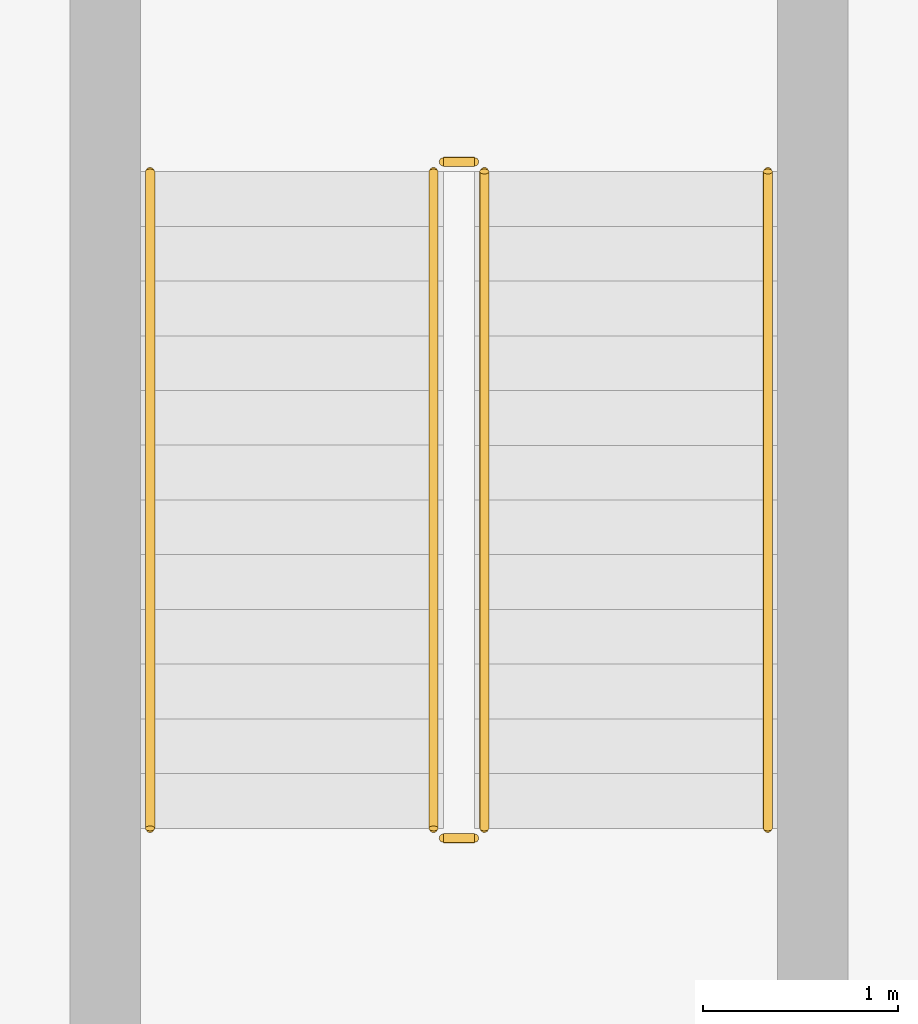
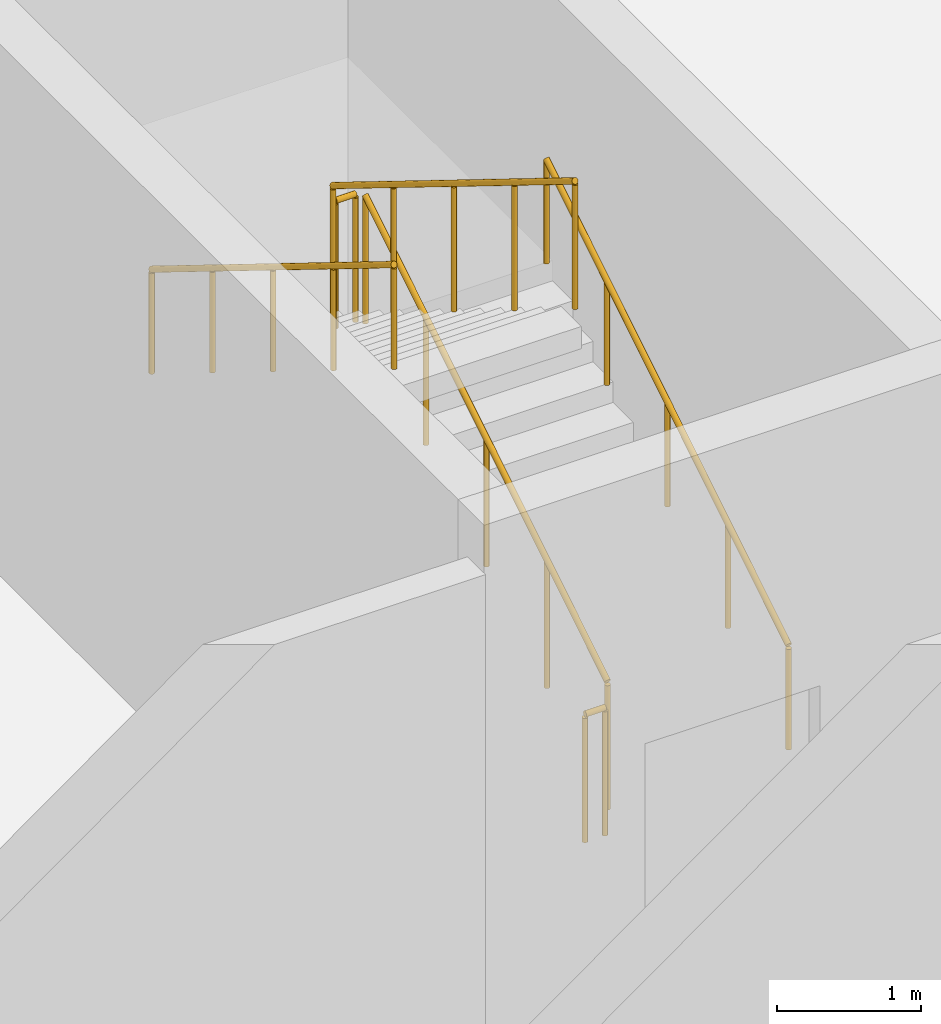
# One storey, part 7 of 8: 6 railings.
"""IFC4 building model written with IfcOpenShell, lengths in metres."""

import ifcopenshell
import ifcopenshell.guid

model = None  # the IFC model being written
_history = None  # IfcOwnerHistory: only IFC2X3 demands one
_inside = {}  # id of a spatial element -> (the spatial element, [elements in it])
_under = {}  # id of a project, library or spatial element -> (it, [spatial elements below it])
_declared = {}  # id of a project -> (the project, [libraries it declares])
_typed = {}  # id of a type object -> (the type object, [elements of that type])
_made_of = {}  # id of a material, layer set ... -> (it, [elements and type objects made of it])


def new_model(schema):
    """Start an empty IFC model of exactly this schema.

    Asked for "IFC4X3", IfcOpenShell would pick the latest addendum, in which some entities
    have other attributes; the version numbers below select the first issue.
    IFC2X3 requires an IfcOwnerHistory on every rooted entity: one is made here for all.
    """
    global model, _history
    if schema == "IFC4X3":
        model = ifcopenshell.file(schema_version=(4, 3, 0, 0))
    else:
        model = ifcopenshell.file(schema=schema)
    _inside.clear()
    _under.clear()
    _declared.clear()
    _typed.clear()
    _made_of.clear()
    _history = None
    if model.schema == "IFC2X3":
        org = make("IfcOrganization", Name="unknown")
        user = make(
            "IfcPersonAndOrganization",
            ThePerson=make("IfcPerson", FamilyName="unknown"),
            TheOrganization=org,
        )
        app = make(
            "IfcApplication",
            ApplicationDeveloper=org,
            Version="unknown",
            ApplicationFullName="unknown",
            ApplicationIdentifier="unknown",
        )
        _history = make(
            "IfcOwnerHistory",
            OwningUser=user,
            OwningApplication=app,
            ChangeAction="ADDED",
            CreationDate=0,
        )
    return model


def make(cls, **values):
    """One entity of the class cls with the attributes given. An attribute that is None is left unset."""
    return model.create_entity(
        cls, **{name: value for name, value in values.items() if value is not None}
    )


def rooted(cls, **values):
    """An entity with a GlobalId (a new one), such as an element, a storey or a relation."""
    return make(cls, GlobalId=ifcopenshell.guid.new(), OwnerHistory=_history, **values)


def si_unit(unit_type, name, prefix=None):
    """IfcSIUnit, for example si_unit("LENGTHUNIT", "METRE", prefix="MILLI")."""
    return make("IfcSIUnit", UnitType=unit_type, Prefix=prefix, Name=name)


def assignment(units):
    """IfcUnitAssignment: the units of a project."""
    return None if units is None else make("IfcUnitAssignment", Units=units)


def point(xyz):
    """IfcCartesianPoint."""
    return None if xyz is None else make("IfcCartesianPoint", Coordinates=xyz)


def direction(xyz):
    """IfcDirection."""
    return None if xyz is None else make("IfcDirection", DirectionRatios=xyz)


def frame(location, z_axis=None, x_axis=None):
    """IfcAxis2Placement3D, a coordinate frame: its origin and axes. An axis left out is left unset."""
    return make(
        "IfcAxis2Placement3D",
        Location=point(location),
        Axis=direction(z_axis),
        RefDirection=direction(x_axis),
    )


def frame_2d(location, x_axis=None):
    """IfcAxis2Placement2D, a coordinate frame in the plane: its origin and x axis."""
    return make(
        "IfcAxis2Placement2D", Location=point(location), RefDirection=direction(x_axis)
    )


def origin():
    """The frame at (0, 0, 0) with its axes left unset."""
    return frame((0.0, 0.0, 0.0))


def origin_2d():
    """The frame at (0, 0) in the plane with its x axis left unset."""
    return frame_2d((0.0, 0.0))


def place(relative_to, where):
    """IfcLocalPlacement: puts the frame where relative to a parent placement (None: the world)."""
    return make(
        "IfcLocalPlacement", PlacementRelTo=relative_to, RelativePlacement=where
    )


def context(
    kind, dimensions, precision=None, world=None, true_north=None, identifier=None
):
    """IfcGeometricRepresentationContext, for example the 3D "Model" context."""
    return make(
        "IfcGeometricRepresentationContext",
        ContextIdentifier=identifier,
        ContextType=kind,
        CoordinateSpaceDimension=dimensions,
        Precision=precision,
        WorldCoordinateSystem=world,
        TrueNorth=true_north,
    )


def subcontext(parent, identifier, kind, view, scale=None):
    """IfcGeometricRepresentationSubContext, for example "Body" below "Model"."""
    return make(
        "IfcGeometricRepresentationSubContext",
        ContextIdentifier=identifier,
        ContextType=kind,
        ParentContext=parent,
        TargetScale=scale,
        TargetView=view,
    )


def project(units=None, contexts=None):
    """IfcProject with its units and contexts."""
    return rooted(
        "IfcProject",
        Name="project",
        RepresentationContexts=contexts,
        UnitsInContext=assignment(units),
    )


def spatial(cls, under=None, at=None, **own):
    """A site, building, storey or space (cls), placed at a placement, below another one or the project."""
    s = rooted(cls, ObjectPlacement=at, **own)
    if under is not None:
        _under.setdefault(under.id(), (under, []))[1].append(s)
    return s


def profile(cls, at=None, kind="AREA", **sizes):
    """A parametric profile (cls). Its sizes go by their IFC names, for example OverallWidth=200.0."""
    return make(cls, ProfileType=kind, Position=at, **sizes)


def circle(**sizes):
    """IfcCircleProfileDef."""
    return profile("IfcCircleProfileDef", **sizes)


def extrude(swept, where, along, depth):
    """IfcExtrudedAreaSolid: the profile swept, set in the frame where, extruded along a direction by depth."""
    return make(
        "IfcExtrudedAreaSolid",
        SweptArea=swept,
        Position=where,
        ExtrudedDirection=direction(along),
        Depth=depth,
    )


def shape(context_of_items, identifier, shape_type, items):
    """IfcShapeRepresentation: the items that make up one representation, for example the "Body"."""
    return make(
        "IfcShapeRepresentation",
        ContextOfItems=context_of_items,
        RepresentationIdentifier=identifier,
        RepresentationType=shape_type,
        Items=items,
    )


def source(mapping_origin, context_of_items, identifier, shape_type, items):
    """IfcRepresentationMap: a shape defined once, which mapped items show again and again."""
    return make(
        "IfcRepresentationMap",
        MappingOrigin=mapping_origin,
        MappedRepresentation=shape(context_of_items, identifier, shape_type, items),
    )


def transform(
    local_origin,
    x_axis=None,
    y_axis=None,
    z_axis=None,
    scale=None,
    scale2=None,
    scale3=None,
    uniform=True,
):
    """IfcCartesianTransformationOperator3D, or its non-uniform kind. x_axis, y_axis, z_axis: its Axis1, 2, 3."""
    if uniform:
        return make(
            "IfcCartesianTransformationOperator3D",
            Axis1=direction(x_axis),
            Axis2=direction(y_axis),
            LocalOrigin=point(local_origin),
            Scale=scale,
            Axis3=direction(z_axis),
        )
    return make(
        "IfcCartesianTransformationOperator3DnonUniform",
        Axis1=direction(x_axis),
        Axis2=direction(y_axis),
        LocalOrigin=point(local_origin),
        Scale=scale,
        Axis3=direction(z_axis),
        Scale2=scale2,
        Scale3=scale3,
    )


def mapped(mapping_source, mapping_target):
    """IfcMappedItem: shows the shape of a source again, moved by a transform."""
    return make(
        "IfcMappedItem", MappingSource=mapping_source, MappingTarget=mapping_target
    )


def material(Name=None, Category=None):
    """IfcMaterial."""
    return make("IfcMaterial", Name=Name, Category=Category)


def made_of(thing, what):
    """Note that an element or type object is made of a material, layer set ...; save() writes the relation."""
    if what is not None:
        _made_of.setdefault(what.id(), (what, []))[1].append(thing)
    return thing


def type_object(cls, material=None, **own):
    """A type object (cls), such as IfcWallType, which elements share."""
    return made_of(rooted(cls, **own), material)


def element(
    cls,
    number,
    at=None,
    inside=None,
    cuts=None,
    type_object=None,
    material=None,
    context=None,
    identifier="Body",
    shape_type=None,
    held_by="IfcProductDefinitionShape",
    body=None,
    shapes=None,
    **own,
):
    """One element of the class cls, such as IfcWall. Its Tag is "e" and its number.

    at: its placement. inside: the storey or other place that contains it. cuts: it is an
    opening in that element (IfcRelVoidsElement). A single representation is given by context,
    identifier, shape_type and body (its items); several are given by shapes. held_by: the class
    of the entity that holds the representations. save() writes the other relations.
    """
    e = rooted(cls, Tag="e%d" % number, ObjectPlacement=at, **own)
    if body is not None:
        shapes = [shape(context, identifier, shape_type, body)]
    if shapes is not None:
        e.Representation = make(held_by, Representations=shapes)
    if inside is not None:
        _inside.setdefault(inside.id(), (inside, []))[1].append(e)
    if cuts is not None:
        rooted(
            "IfcRelVoidsElement", RelatingBuildingElement=cuts, RelatedOpeningElement=e
        )
    if type_object is not None:
        _typed.setdefault(type_object.id(), (type_object, []))[1].append(e)
    return made_of(e, material)


def aggregate(whole, parts):
    """IfcRelAggregates: a whole, such as a stair, and the parts it consists of."""
    return rooted("IfcRelAggregates", RelatingObject=whole, RelatedObjects=parts)


def save(model, path):
    """Write the relations noted so far, then the file.

    IfcRelAggregates (storeys below a building ...), IfcRelContainedInSpatialStructure (elements
    in a storey), IfcRelDefinesByType, IfcRelAssociatesMaterial and IfcRelDeclares: one each for
    every whole, place, type object, material and project.
    """
    for whole, parts in _under.values():
        aggregate(whole, parts)
    for where, things in _inside.values():
        rooted(
            "IfcRelContainedInSpatialStructure",
            RelatedElements=things,
            RelatingStructure=where,
        )
    for kind, things in _typed.values():
        rooted("IfcRelDefinesByType", RelatedObjects=things, RelatingType=kind)
    for what, things in _made_of.values():
        rooted("IfcRelAssociatesMaterial", RelatedObjects=things, RelatingMaterial=what)
    for by, libraries in _declared.values():
        rooted("IfcRelDeclares", RelatingContext=by, RelatedDefinitions=libraries)
    model.write(path)


model = new_model("IFC4")

# Units and contexts
model_context = context("Model", 3, precision=1e-05, world=origin(), true_north=direction((0.0, 1.0)))
body_context = subcontext(model_context, "Body", "Model", "MODEL_VIEW")
ifc_project = project(units=[si_unit("LENGTHUNIT", "METRE"), si_unit("AREAUNIT", "SQUARE_METRE"), si_unit("VOLUMEUNIT", "CUBIC_METRE"), si_unit("PLANEANGLEUNIT", "RADIAN"), si_unit("MASSUNIT", "GRAM", prefix="KILO"), si_unit("THERMODYNAMICTEMPERATUREUNIT", "KELVIN")], contexts=[model_context])

# Site, building, storey
site_placement = place(None, origin())
site = spatial("IfcSite", under=ifc_project, at=site_placement, CompositionType="ELEMENT")
building_placement = place(site_placement, origin())
building = spatial("IfcBuilding", under=site, at=building_placement, Name="Kosmvard Interchange Tower", CompositionType="ELEMENT")
storey_placement = place(building_placement, frame((0.0, 0.0, -9.0)))
storey = spatial("IfcBuildingStorey", under=building, at=storey_placement, Name="B02", CompositionType="ELEMENT", Elevation=-9.0)

# Railings
ifc_material = material(Name="Steel S355", Category="steel")
railing_type_1 = type_object("IfcRailingType", Name="Stair & Terrace Safety Guardrail 1100 Steel", PredefinedType="GUARDRAIL", material=ifc_material)
shared_shape_1 = source(origin(), body_context, "Body", "SweptSolid", [
    extrude(circle(Radius=0.02392578125, at=origin_2d()), frame((0.0, 0.0, 1.076171875), z_axis=(0.0, 0.850623216509, 0.525775754039), x_axis=(-1.0, 0.0, 0.0)), (0.0, 0.0, 1.0), 3.9501953125),
    extrude(circle(Radius=0.02099609375, at=origin_2d()), origin(), (0.0, 0.0, 1.0), 1.052001953125),
    extrude(circle(Radius=0.02099609375, at=origin_2d()), frame((0.0, 0.840087890625, 0.519287109375)), (0.0, 0.0, 1.0), 1.052001953125),
    extrude(circle(Radius=0.02099609375, at=origin_2d()), frame((0.0, 1.68017578125, 1.03857421875)), (0.0, 0.0, 1.0), 1.052001953125),
    extrude(circle(Radius=0.02099609375, at=origin_2d()), frame((0.0, 2.52001953125, 1.5576171875)), (0.0, 0.0, 1.0), 1.052001953125),
    extrude(circle(Radius=0.02099609375, at=origin_2d()), frame((0.0, 3.360107421875, 2.076904296875)), (0.0, 0.0, 1.0), 1.052001953125),
])
railing_1_placement = place(storey_placement, frame((21.080078125, -3.0, 0.173095703125)))
element("IfcRailing", 1, at=railing_1_placement, inside=storey, type_object=railing_type_1, Name="B02 ST-4 stair guard 1", PredefinedType="GUARDRAIL", context=body_context, shape_type="MappedRepresentation", body=[
    mapped(shared_shape_1, transform((0.0, 0.0, 0.0), scale=1.0)),
])
shared_shape_2 = source(origin(), body_context, "Body", "SweptSolid", [
    extrude(circle(Radius=0.02392578125, at=origin_2d()), frame((0.0, 0.0, 1.076171875), z_axis=(-1.0, 0.0, 0.0), x_axis=(0.0, -1.0, 0.0)), (0.0, 0.0, 1.0), 0.159912109375),
    extrude(circle(Radius=0.02099609375, at=origin_2d()), origin(), (0.0, 0.0, 1.0), 1.052001953125),
    extrude(circle(Radius=0.02099609375, at=origin_2d()), frame((-0.159912109375, 0.0, 0.0)), (0.0, 0.0, 1.0), 1.052001953125),
])
for number, where, name in (
    (2, (21.030029296875, 0.409912109375, 2.25), "B02 ST-4 stair guard 2"),
    (3, (21.030029296875, -3.050048828125, 0.0), "B02 ST-4 stair guard 4"),
):
    element("IfcRailing", number, at=place(storey_placement, frame(where)), inside=storey, type_object=railing_type_1, Name=name, PredefinedType="GUARDRAIL", context=body_context, shape_type="MappedRepresentation", body=[
        mapped(shared_shape_2, transform((0.0, 0.0, 0.0), scale=1.0)),
    ])
shared_shape_3 = source(origin(), body_context, "Body", "SweptSolid", [
    extrude(circle(Radius=0.02392578125, at=origin_2d()), frame((0.0, 0.0, 1.076171875), z_axis=(0.0, -0.850623216509, 0.525775754039), x_axis=(1.0, 0.0, 0.0)), (0.0, 0.0, 1.0), 3.9501953125),
    extrude(circle(Radius=0.02099609375, at=origin_2d()), origin(), (0.0, 0.0, 1.0), 1.052001953125),
    extrude(circle(Radius=0.02099609375, at=origin_2d()), frame((0.0, -0.840087890625, 0.519287109375)), (0.0, 0.0, 1.0), 1.052001953125),
    extrude(circle(Radius=0.02099609375, at=origin_2d()), frame((0.0, -1.68017578125, 1.03857421875)), (0.0, 0.0, 1.0), 1.052001953125),
    extrude(circle(Radius=0.02099609375, at=origin_2d()), frame((0.0, -2.52001953125, 1.5576171875)), (0.0, 0.0, 1.0), 1.052001953125),
    extrude(circle(Radius=0.02099609375, at=origin_2d()), frame((0.0, -3.360107421875, 2.076904296875)), (0.0, 0.0, 1.0), 1.052001953125),
])
railing_2_placement = place(storey_placement, frame((20.820068359375, 0.360107421875, 2.423095703125)))
element("IfcRailing", 4, at=railing_2_placement, inside=storey, type_object=railing_type_1, Name="B02 ST-4 stair guard 3", PredefinedType="GUARDRAIL", context=body_context, shape_type="MappedRepresentation", body=[
    mapped(shared_shape_3, transform((0.0, 0.0, 0.0), scale=1.0)),
])
railing_type_2 = type_object("IfcRailingType", Name="Wall-Mounted Stair Handrail 900 Steel", PredefinedType="HANDRAIL", material=ifc_material)
shared_shape_4 = source(origin(), body_context, "Body", "SweptSolid", [
    extrude(circle(Radius=0.02392578125, at=origin_2d()), frame((0.0, 0.0, 0.8759765625), z_axis=(0.0, 0.850623216509, 0.525775754039), x_axis=(-1.0, 0.0, 0.0)), (0.0, 0.0, 1.0), 3.9501953125),
    extrude(circle(Radius=0.02099609375, at=origin_2d()), origin(), (0.0, 0.0, 1.0), 0.851806640625),
    extrude(circle(Radius=0.02099609375, at=origin_2d()), frame((0.0, 0.840087890625, 0.519287109375)), (0.0, 0.0, 1.0), 0.851806640625),
    extrude(circle(Radius=0.02099609375, at=origin_2d()), frame((0.0, 1.68017578125, 1.03857421875)), (0.0, 0.0, 1.0), 0.851806640625),
    extrude(circle(Radius=0.02099609375, at=origin_2d()), frame((0.0, 2.52001953125, 1.5576171875)), (0.0, 0.0, 1.0), 0.851806640625),
    extrude(circle(Radius=0.02099609375, at=origin_2d()), frame((0.0, 3.360107421875, 2.076904296875)), (0.0, 0.0, 1.0), 0.851806640625),
])
railing_3_placement = place(storey_placement, frame((22.530029296875, -3.0, 0.173095703125)))
element("IfcRailing", 5, at=railing_3_placement, inside=storey, type_object=railing_type_2, Name="B02 ST-4 stair handrail 1", PredefinedType="HANDRAIL", context=body_context, shape_type="MappedRepresentation", body=[
    mapped(shared_shape_4, transform((0.0, 0.0, 0.0), scale=1.0)),
])
shared_shape_5 = source(origin(), body_context, "Body", "SweptSolid", [
    extrude(circle(Radius=0.02392578125, at=origin_2d()), frame((0.0, 0.0, 0.8759765625), z_axis=(0.0, -0.850623216509, 0.525775754039), x_axis=(1.0, 0.0, 0.0)), (0.0, 0.0, 1.0), 3.9501953125),
    extrude(circle(Radius=0.02099609375, at=origin_2d()), origin(), (0.0, 0.0, 1.0), 0.851806640625),
    extrude(circle(Radius=0.02099609375, at=origin_2d()), frame((0.0, -0.840087890625, 0.519287109375)), (0.0, 0.0, 1.0), 0.851806640625),
    extrude(circle(Radius=0.02099609375, at=origin_2d()), frame((0.0, -1.68017578125, 1.03857421875)), (0.0, 0.0, 1.0), 0.851806640625),
    extrude(circle(Radius=0.02099609375, at=origin_2d()), frame((0.0, -2.52001953125, 1.5576171875)), (0.0, 0.0, 1.0), 0.851806640625),
    extrude(circle(Radius=0.02099609375, at=origin_2d()), frame((0.0, -3.360107421875, 2.076904296875)), (0.0, 0.0, 1.0), 0.851806640625),
])
railing_4_placement = place(storey_placement, frame((19.3701171875, 0.360107421875, 2.423095703125)))
element("IfcRailing", 6, at=railing_4_placement, inside=storey, type_object=railing_type_2, Name="B02 ST-4 stair handrail 2", PredefinedType="HANDRAIL", context=body_context, shape_type="MappedRepresentation", body=[
    mapped(shared_shape_5, transform((0.0, 0.0, 0.0), scale=1.0)),
])

save(model, "model.ifc")
